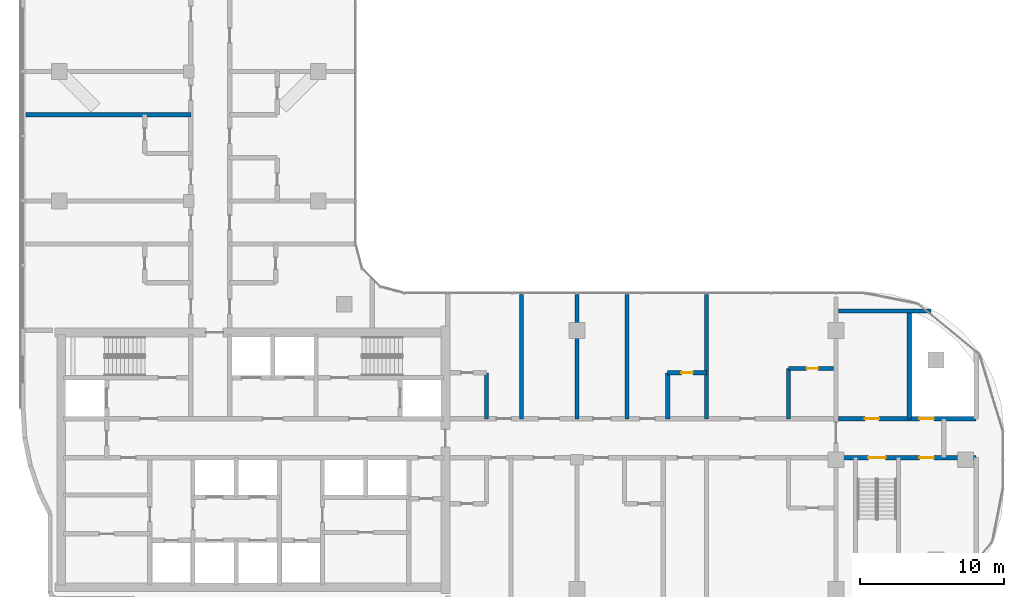
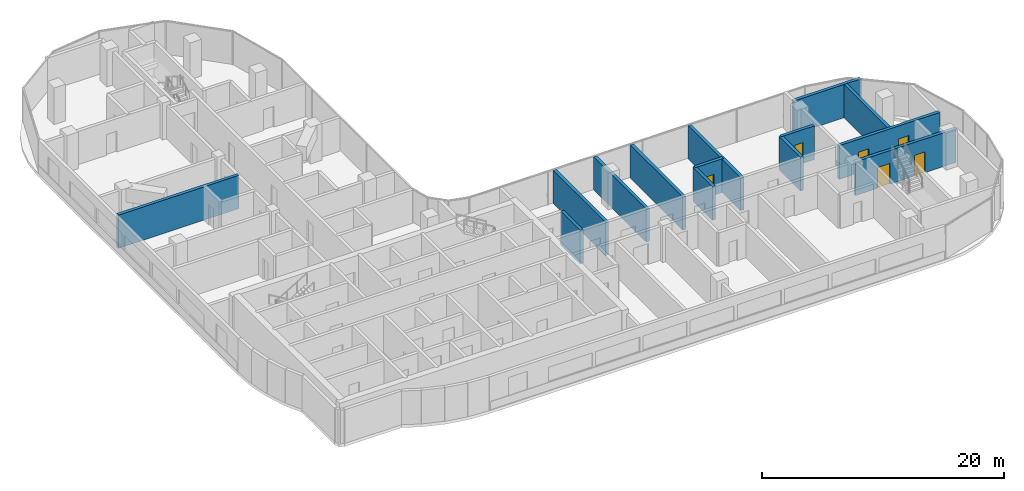
# One storey, part 13 of 23: 14 walls, 6 doors, 6 openings.
"""IFC4 building model written with IfcOpenShell, lengths in metres."""

from ifc_helpers import new_model, si_unit, direction, frame, frame_2d, origin, place, context, subcontext, project, spatial, rectangle, extrude, material, layer, layer_set, type_object, element, fill, save


model = new_model("IFC4")

# Units and contexts
model_context = context("Model", 3, precision=1e-05, world=origin(), true_north=direction((0.0, 1.0)))
body_context = subcontext(model_context, "Body", "Model", "MODEL_VIEW")
ifc_project = project(units=[si_unit("LENGTHUNIT", "METRE"), si_unit("AREAUNIT", "SQUARE_METRE"), si_unit("VOLUMEUNIT", "CUBIC_METRE"), si_unit("PLANEANGLEUNIT", "RADIAN"), si_unit("MASSUNIT", "GRAM", prefix="KILO")], contexts=[model_context])

# Site, building, storey
site_placement = place(None, origin())
site = spatial("IfcSite", under=ifc_project, at=site_placement, CompositionType="ELEMENT")
building_placement = place(site_placement, origin())
building = spatial("IfcBuilding", under=site, at=building_placement, Name="Ogive Portal Towers", CompositionType="ELEMENT")
storey_placement = place(building_placement, frame((0.0, 0.0, 186.60009765625)))
storey = spatial("IfcBuildingStorey", under=building, at=storey_placement, Name="L46", CompositionType="ELEMENT", Elevation=186.60009765625)

# Wall, openings, doors
ifc_material_1 = material(Name="Concrete C50/60", Category="concrete")
ifc_layer_1 = layer(ifc_material_1, 0.300048828125)
ifc_layer_set_1 = layer_set([ifc_layer_1], Name="STAIR WALL 300 C50")
wall_type_1 = type_object("IfcWallType", Name="STAIR WALL 300 C50", PredefinedType="SHEAR", material=ifc_layer_set_1)
wall_1_placement = place(storey_placement, frame((85.669921875, 30.64990234375, 0.0), z_axis=(0.0, 0.0, 1.0), x_axis=(1.0, 0.0, 0.0)))
wall_1 = element("IfcWall", 1, at=wall_1_placement, inside=storey, type_object=wall_type_1, Name="Stair wall ST-A4 L46", PredefinedType="SHEAR", context=body_context, shape_type="SweptSolid", body=[
    extrude(rectangle(XDim=9.580078125, YDim=0.300048828125, at=frame_2d((4.7900390625, 0.0))), origin(), (0.0, 0.0, 1.0), 3.39990234375),
])
opening_1_placement = place(wall_1_placement, frame((2.080078125, 0.0, 0.0)))
opening_1 = element("IfcOpeningElement", 2, at=opening_1_placement, cuts=wall_1, Name="Opening D20-061", PredefinedType="OPENING", context=body_context, shape_type="SweptSolid", body=[
    extrude(rectangle(XDim=1.199951171875, YDim=2.10009765625, at=frame_2d((0.60009765625, 1.050048828125))), frame((0.0, 0.16015625, 0.0), z_axis=(0.0, -1.0, 0.0), x_axis=(1.0, 0.0, 0.0)), (0.0, 0.0, 1.0), 0.320068359375),
])
opening_2_placement = place(wall_1_placement, frame((5.6298828125, 0.0, 0.0)))
opening_2 = element("IfcOpeningElement", 3, at=opening_2_placement, cuts=wall_1, Name="Opening D20-064", PredefinedType="OPENING", context=body_context, shape_type="SweptSolid", body=[
    extrude(rectangle(XDim=1.0, YDim=2.10009765625, at=frame_2d((0.5, 1.050048828125))), frame((0.0, 0.16015625, 0.0), z_axis=(0.0, -1.0, 0.0), x_axis=(1.0, 0.0, 0.0)), (0.0, 0.0, 1.0), 0.320068359375),
])
ifc_material_2 = material(Name="Steel fire door", Category="steel")
door_type_1 = type_object("IfcDoorType", Name="DT-SERVICE-1000x2100-FD90S", OperationType="SINGLE_SWING_LEFT", PredefinedType="DOOR", material=ifc_material_2)
door_1_placement = place(opening_2_placement, origin())
door_1 = element("IfcDoor", 4, at=door_1_placement, inside=storey, type_object=door_type_1, Name="Door D20-064", OperationType="SINGLE_SWING_LEFT", OverallHeight=2.10009765625, OverallWidth=1.0, PredefinedType="DOOR", context=body_context, shape_type="SweptSolid", body=[
    extrude(rectangle(XDim=1.0, YDim=2.10009765625, at=frame_2d((0.5, 1.050048828125))), frame((0.0, 0.02490234375, 0.0), z_axis=(0.0, -1.0, 0.0), x_axis=(1.0, 0.0, 0.0)), (0.0, 0.0, 1.0), 0.050048828125),
])
fill(opening_2, door_1)
door_type_2 = type_object("IfcDoorType", Name="DT-STAIR-1200x2100-FD90S", OperationType="SINGLE_SWING_LEFT", PredefinedType="DOOR", material=ifc_material_2)
door_2_placement = place(opening_1_placement, origin())
door_2 = element("IfcDoor", 5, at=door_2_placement, inside=storey, type_object=door_type_2, Name="Door D20-061", OperationType="SINGLE_SWING_LEFT", OverallHeight=2.10009765625, OverallWidth=1.199951171875, PredefinedType="DOOR", context=body_context, shape_type="SweptSolid", body=[
    extrude(rectangle(XDim=1.199951171875, YDim=2.10009765625, at=frame_2d((0.60009765625, 1.050048828125))), frame((0.0, 0.02490234375, 0.0), z_axis=(0.0, -1.0, 0.0), x_axis=(1.0, 0.0, 0.0)), (0.0, 0.0, 1.0), 0.050048828125),
])
fill(opening_1, door_2)

ifc_material_3 = material(Name="Gypsum board partition on steel studs", Category="steel")
ifc_layer_2 = layer(ifc_material_3, 0.300048828125)
ifc_layer_set_2 = layer_set([ifc_layer_2], Name="WT-PART-300-EI 120")
wall_type_2 = type_object("IfcWallType", Name="WT-PART-300-EI 120", PredefinedType="PARTITIONING", material=ifc_layer_set_2)
wall_2_placement = place(storey_placement, frame((85.669921875, 33.35009765625, 0.0), z_axis=(0.0, 0.0, 1.0), x_axis=(1.0, 0.0, 0.0)))
wall_2 = element("IfcWall", 6, at=wall_2_placement, inside=storey, type_object=wall_type_2, Name="Wall L46:w008", PredefinedType="PARTITIONING", context=body_context, shape_type="SweptSolid", body=[
    extrude(rectangle(XDim=9.580078125, YDim=0.300048828125, at=frame_2d((4.7900390625, 0.0))), origin(), (0.0, 0.0, 1.0), 3.39990234375),
])
opening_3_placement = place(wall_2_placement, frame((1.830078125, 0.0, 0.0)))
opening_3 = element("IfcOpeningElement", 7, at=opening_3_placement, cuts=wall_2, Name="Opening D20-062", PredefinedType="OPENING", context=body_context, shape_type="SweptSolid", body=[
    extrude(rectangle(XDim=1.0, YDim=2.10009765625, at=frame_2d((0.5, 1.050048828125))), frame((0.0, 0.16015625, 0.0), z_axis=(0.0, -1.0, 0.0), x_axis=(1.0, 0.0, 0.0)), (0.0, 0.0, 1.0), 0.320068359375),
])
opening_4_placement = place(wall_2_placement, frame((5.6298828125, 0.0, 0.0)))
opening_4 = element("IfcOpeningElement", 8, at=opening_4_placement, cuts=wall_2, Name="Opening D20-063", PredefinedType="OPENING", context=body_context, shape_type="SweptSolid", body=[
    extrude(rectangle(XDim=1.0, YDim=2.10009765625, at=frame_2d((0.5, 1.050048828125))), frame((0.0, 0.16015625, 0.0), z_axis=(0.0, -1.0, 0.0), x_axis=(1.0, 0.0, 0.0)), (0.0, 0.0, 1.0), 0.320068359375),
])
door_3_placement = place(opening_3_placement, origin())
door_3 = element("IfcDoor", 9, at=door_3_placement, inside=storey, type_object=door_type_1, Name="Door D20-062", OperationType="SINGLE_SWING_LEFT", OverallHeight=2.10009765625, OverallWidth=1.0, PredefinedType="DOOR", context=body_context, shape_type="SweptSolid", body=[
    extrude(rectangle(XDim=1.0, YDim=2.10009765625, at=frame_2d((0.5, 1.050048828125))), frame((0.0, 0.02490234375, 0.0), z_axis=(0.0, -1.0, 0.0), x_axis=(1.0, 0.0, 0.0)), (0.0, 0.0, 1.0), 0.050048828125),
])
fill(opening_3, door_3)
door_4_placement = place(opening_4_placement, origin())
door_4 = element("IfcDoor", 10, at=door_4_placement, inside=storey, type_object=door_type_1, Name="Riser access door D20-063", OperationType="SINGLE_SWING_RIGHT", OverallHeight=2.10009765625, OverallWidth=1.0, PredefinedType="DOOR", context=body_context, shape_type="SweptSolid", body=[
    extrude(rectangle(XDim=1.0, YDim=2.10009765625, at=frame_2d((0.5, 1.050048828125))), frame((0.0, 0.02490234375, 0.0), z_axis=(0.0, -1.0, 0.0), x_axis=(1.0, 0.0, 0.0)), (0.0, 0.0, 1.0), 0.050048828125),
])
fill(opening_4, door_4)

# Wall, opening, door
ifc_layer_3 = layer(ifc_material_3, 0.300048828125)
ifc_layer_set_3 = layer_set([ifc_layer_3], Name="WT-PART-300-EI 60")
wall_type_3 = type_object("IfcWallType", Name="WT-PART-300-EI 60", PredefinedType="PARTITIONING", material=ifc_layer_set_3)
wall_3_placement = place(storey_placement, frame((73.800048828125, 36.550048828125, 0.0), z_axis=(0.0, 0.0, 1.0), x_axis=(1.0, 0.0, 0.0)))
wall_3 = element("IfcWall", 11, at=wall_3_placement, inside=storey, type_object=wall_type_3, Name="Wall L46:w010", PredefinedType="PARTITIONING", context=body_context, shape_type="SweptSolid", body=[
    extrude(rectangle(XDim=2.699951171875, YDim=0.300048828125, at=frame_2d((1.35009765625, 0.0))), origin(), (0.0, 0.0, 1.0), 3.39990234375),
])
opening_5_placement = place(wall_3_placement, frame((0.949951171875, 0.0, 0.0)))
opening_5 = element("IfcOpeningElement", 12, at=opening_5_placement, cuts=wall_3, Name="Opening D20-034", PredefinedType="OPENING", context=body_context, shape_type="SweptSolid", body=[
    extrude(rectangle(XDim=0.800048828125, YDim=2.10009765625, at=frame_2d((0.39990234375, 1.050048828125))), frame((0.0, 0.16015625, 0.0), z_axis=(0.0, -1.0, 0.0), x_axis=(1.0, 0.0, 0.0)), (0.0, 0.0, 1.0), 0.320068359375),
])
door_type_3 = type_object("IfcDoorType", Name="DT-BATH-800x2100-FD60S", OperationType="SINGLE_SWING_LEFT", PredefinedType="DOOR", material=ifc_material_2)
door_5_placement = place(opening_5_placement, origin())
door_5 = element("IfcDoor", 13, at=door_5_placement, inside=storey, type_object=door_type_3, Name="Door D20-034", OperationType="SINGLE_SWING_RIGHT", OverallHeight=2.10009765625, OverallWidth=0.800048828125, PredefinedType="DOOR", context=body_context, shape_type="SweptSolid", body=[
    extrude(rectangle(XDim=0.800048828125, YDim=2.10009765625, at=frame_2d((0.39990234375, 1.050048828125))), frame((0.0, 0.02490234375, 0.0), z_axis=(0.0, -1.0, 0.0), x_axis=(1.0, 0.0, 0.0)), (0.0, 0.0, 1.0), 0.050048828125),
])
fill(opening_5, door_5)

wall_4_placement = place(storey_placement, frame((82.199951171875, 36.85009765625, 0.0), z_axis=(0.0, 0.0, 1.0), x_axis=(1.0, 0.0, 0.0)))
wall_4 = element("IfcWall", 14, at=wall_4_placement, inside=storey, type_object=wall_type_3, Name="Wall L46:w011", PredefinedType="PARTITIONING", context=body_context, shape_type="SweptSolid", body=[
    extrude(rectangle(XDim=3.130126953125, YDim=0.300048828125, at=frame_2d((1.56494140625, 0.0))), origin(), (0.0, 0.0, 1.0), 3.39990234375),
])
opening_6_placement = place(wall_4_placement, frame((1.25, 0.0, 0.0)))
opening_6 = element("IfcOpeningElement", 15, at=opening_6_placement, cuts=wall_4, Name="Opening D20-039", PredefinedType="OPENING", context=body_context, shape_type="SweptSolid", body=[
    extrude(rectangle(XDim=0.800048828125, YDim=2.10009765625, at=frame_2d((0.39990234375, 1.050048828125))), frame((0.0, 0.16015625, 0.0), z_axis=(0.0, -1.0, 0.0), x_axis=(1.0, 0.0, 0.0)), (0.0, 0.0, 1.0), 0.320068359375),
])
door_6_placement = place(opening_6_placement, origin())
door_6 = element("IfcDoor", 16, at=door_6_placement, inside=storey, type_object=door_type_3, Name="Door D20-039", OperationType="SINGLE_SWING_LEFT", OverallHeight=2.10009765625, OverallWidth=0.800048828125, PredefinedType="DOOR", context=body_context, shape_type="SweptSolid", body=[
    extrude(rectangle(XDim=0.800048828125, YDim=2.10009765625, at=frame_2d((0.39990234375, 1.050048828125))), frame((0.0, 0.02490234375, 0.0), z_axis=(0.0, -1.0, 0.0), x_axis=(1.0, 0.0, 0.0)), (0.0, 0.0, 1.0), 0.050048828125),
])
fill(opening_6, door_6)

# Walls
wall_5_placement = place(storey_placement, frame((85.669921875, 40.85009765625, 0.0), z_axis=(0.0, 0.0, 1.0), x_axis=(1.0, 0.0, 0.0)))
element("IfcWall", 17, at=wall_5_placement, inside=storey, type_object=wall_type_3, Name="Wall L46:w013", PredefinedType="PARTITIONING", context=body_context, shape_type="SweptSolid", body=[
    extrude(rectangle(XDim=6.422119140625, YDim=0.300048828125, at=frame_2d((3.2109375, 0.0))), origin(), (0.0, 0.0, 1.0), 3.349853515625),
])
wall_6_placement = place(storey_placement, frame((29.169921875, 54.5, 0.0), z_axis=(0.0, 0.0, 1.0), x_axis=(1.0, 0.0, 0.0)))
element("IfcWall", 18, at=wall_6_placement, inside=storey, type_object=wall_type_3, Name="Wall L46:w022", PredefinedType="PARTITIONING", context=body_context, shape_type="SweptSolid", body=[
    extrude(rectangle(XDim=11.47998046875, YDim=0.300048828125, at=frame_2d((5.739990234375, 0.0))), origin(), (0.0, 0.0, 1.0), 3.349853515625),
])
wall_7_placement = place(storey_placement, frame((61.199951171875, 33.35009765625, 0.0), z_axis=(0.0, 0.0, 1.0), x_axis=(0.0, 1.0, 0.0)))
element("IfcWall", 19, at=wall_7_placement, inside=storey, type_object=wall_type_3, Name="Wall L46:w050", PredefinedType="PARTITIONING", context=body_context, shape_type="SweptSolid", body=[
    extrude(rectangle(XDim=3.199951171875, YDim=0.300048828125, at=frame_2d((1.60009765625, 0.0))), origin(), (0.0, 0.0, 1.0), 3.39990234375),
])
for number, where, z_axis, x_axis, name in (
    (20, (63.6298828125, 33.35009765625, 0.0), (0.0, 0.0, 1.0), (0.0, 1.0, 0.0), "Wall L46:w052"),
    (21, (67.5, 33.35009765625, 0.0), (0.0, 0.0, 1.0), (0.0, 1.0, 0.0), "Wall L46:w054"),
    (22, (70.969970703125, 33.35009765625, 0.0), (0.0, 0.0, 1.0), (0.0, 1.0, 0.0), "Wall L46:w056"),
):
    element("IfcWall", number, at=place(storey_placement, frame(where, z_axis=z_axis, x_axis=x_axis)), inside=storey, type_object=wall_type_3, Name=name, PredefinedType="PARTITIONING", context=body_context, shape_type="SweptSolid", body=[
        extrude(rectangle(XDim=8.659912109375, YDim=0.300048828125, at=frame_2d((4.330078125, 0.0))), origin(), (0.0, 0.0, 1.0), 3.349853515625),
    ])
wall_8_placement = place(storey_placement, frame((73.800048828125, 33.35009765625, 0.0), z_axis=(0.0, 0.0, 1.0), x_axis=(0.0, 1.0, 0.0)))
element("IfcWall", 23, at=wall_8_placement, inside=storey, type_object=wall_type_3, Name="Wall L46:w058", PredefinedType="PARTITIONING", context=body_context, shape_type="SweptSolid", body=[
    extrude(rectangle(XDim=3.199951171875, YDim=0.300048828125, at=frame_2d((1.60009765625, 0.0))), origin(), (0.0, 0.0, 1.0), 3.39990234375),
])
wall_9_placement = place(storey_placement, frame((76.5, 33.35009765625, 0.0), z_axis=(0.0, 0.0, 1.0), x_axis=(0.0, 1.0, 0.0)))
element("IfcWall", 24, at=wall_9_placement, inside=storey, type_object=wall_type_3, Name="Wall L46:w060", PredefinedType="PARTITIONING", context=body_context, shape_type="SweptSolid", body=[
    extrude(rectangle(XDim=8.659912109375, YDim=0.300048828125, at=frame_2d((4.330078125, 0.0))), origin(), (0.0, 0.0, 1.0), 3.349853515625),
])
wall_10_placement = place(storey_placement, frame((82.199951171875, 33.35009765625, 0.0), z_axis=(0.0, 0.0, 1.0), x_axis=(0.0, 1.0, 0.0)))
element("IfcWall", 25, at=wall_10_placement, inside=storey, type_object=wall_type_3, Name="Wall L46:w062", PredefinedType="PARTITIONING", context=body_context, shape_type="SweptSolid", body=[
    extrude(rectangle(XDim=3.5, YDim=0.300048828125, at=frame_2d((1.75, 0.0))), origin(), (0.0, 0.0, 1.0), 3.39990234375),
])
wall_11_placement = place(storey_placement, frame((90.60009765625, 33.35009765625, 0.0), z_axis=(0.0, 0.0, 1.0), x_axis=(0.0, 1.0, 0.0)))
element("IfcWall", 26, at=wall_11_placement, inside=storey, type_object=wall_type_3, Name="Wall L46:w065", PredefinedType="PARTITIONING", context=body_context, shape_type="SweptSolid", body=[
    extrude(rectangle(XDim=7.5, YDim=0.300048828125, at=frame_2d((3.75, 0.0))), origin(), (0.0, 0.0, 1.0), 3.349853515625),
])

save(model, "model.ifc")
